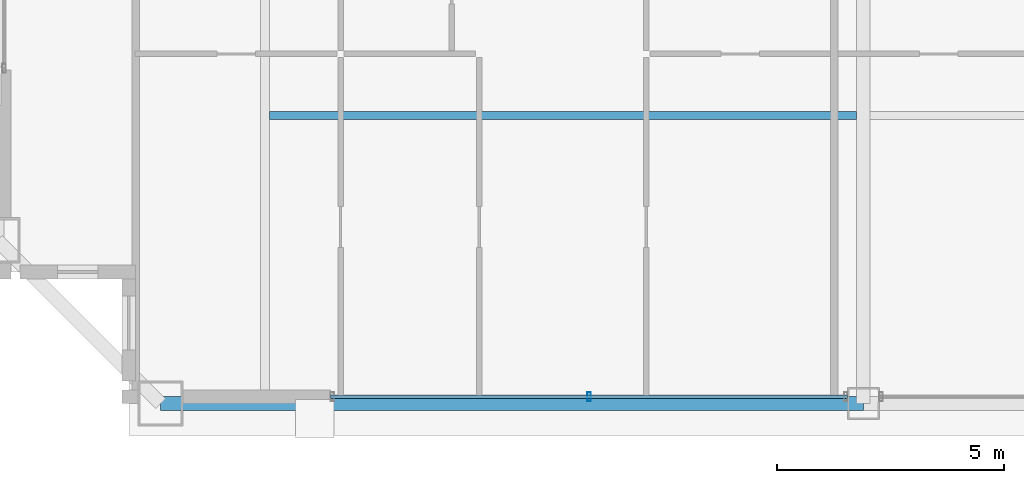
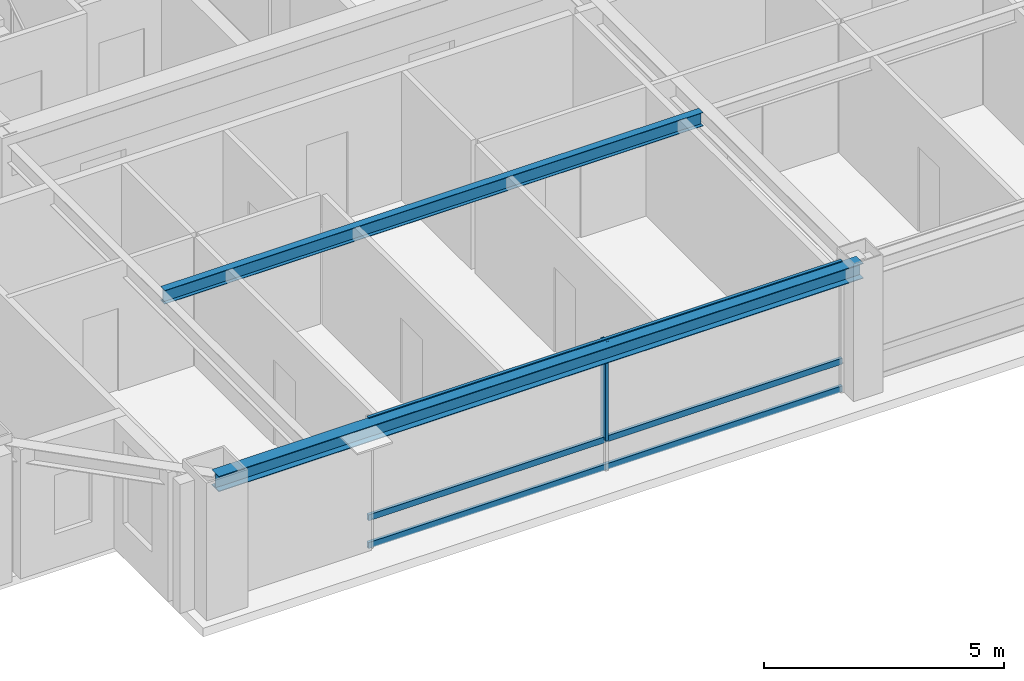
# One storey, part 5 of 35: 4 members, 2 beams, 1 element without a shape of its own.
"""IFC4 building model written with IfcOpenShell, lengths in metres."""

import ifcopenshell
import ifcopenshell.guid

model = None  # the IFC model being written
_history = None  # IfcOwnerHistory: only IFC2X3 demands one
_inside = {}  # id of a spatial element -> (the spatial element, [elements in it])
_under = {}  # id of a project, library or spatial element -> (it, [spatial elements below it])
_declared = {}  # id of a project -> (the project, [libraries it declares])
_typed = {}  # id of a type object -> (the type object, [elements of that type])
_made_of = {}  # id of a material, layer set ... -> (it, [elements and type objects made of it])


def new_model(schema):
    """Start an empty IFC model of exactly this schema.

    Asked for "IFC4X3", IfcOpenShell would pick the latest addendum, in which some entities
    have other attributes; the version numbers below select the first issue.
    IFC2X3 requires an IfcOwnerHistory on every rooted entity: one is made here for all.
    """
    global model, _history
    if schema == "IFC4X3":
        model = ifcopenshell.file(schema_version=(4, 3, 0, 0))
    else:
        model = ifcopenshell.file(schema=schema)
    _inside.clear()
    _under.clear()
    _declared.clear()
    _typed.clear()
    _made_of.clear()
    _history = None
    if model.schema == "IFC2X3":
        org = make("IfcOrganization", Name="unknown")
        user = make(
            "IfcPersonAndOrganization",
            ThePerson=make("IfcPerson", FamilyName="unknown"),
            TheOrganization=org,
        )
        app = make(
            "IfcApplication",
            ApplicationDeveloper=org,
            Version="unknown",
            ApplicationFullName="unknown",
            ApplicationIdentifier="unknown",
        )
        _history = make(
            "IfcOwnerHistory",
            OwningUser=user,
            OwningApplication=app,
            ChangeAction="ADDED",
            CreationDate=0,
        )
    return model


def make(cls, **values):
    """One entity of the class cls with the attributes given. An attribute that is None is left unset."""
    return model.create_entity(
        cls, **{name: value for name, value in values.items() if value is not None}
    )


def rooted(cls, **values):
    """An entity with a GlobalId (a new one), such as an element, a storey or a relation."""
    return make(cls, GlobalId=ifcopenshell.guid.new(), OwnerHistory=_history, **values)


def si_unit(unit_type, name, prefix=None):
    """IfcSIUnit, for example si_unit("LENGTHUNIT", "METRE", prefix="MILLI")."""
    return make("IfcSIUnit", UnitType=unit_type, Prefix=prefix, Name=name)


def assignment(units):
    """IfcUnitAssignment: the units of a project."""
    return None if units is None else make("IfcUnitAssignment", Units=units)


def point(xyz):
    """IfcCartesianPoint."""
    return None if xyz is None else make("IfcCartesianPoint", Coordinates=xyz)


def direction(xyz):
    """IfcDirection."""
    return None if xyz is None else make("IfcDirection", DirectionRatios=xyz)


def frame(location, z_axis=None, x_axis=None):
    """IfcAxis2Placement3D, a coordinate frame: its origin and axes. An axis left out is left unset."""
    return make(
        "IfcAxis2Placement3D",
        Location=point(location),
        Axis=direction(z_axis),
        RefDirection=direction(x_axis),
    )


def frame_2d(location, x_axis=None):
    """IfcAxis2Placement2D, a coordinate frame in the plane: its origin and x axis."""
    return make(
        "IfcAxis2Placement2D", Location=point(location), RefDirection=direction(x_axis)
    )


def origin():
    """The frame at (0, 0, 0) with its axes left unset."""
    return frame((0.0, 0.0, 0.0))


def origin_2d():
    """The frame at (0, 0) in the plane with its x axis left unset."""
    return frame_2d((0.0, 0.0))


def place(relative_to, where):
    """IfcLocalPlacement: puts the frame where relative to a parent placement (None: the world)."""
    return make(
        "IfcLocalPlacement", PlacementRelTo=relative_to, RelativePlacement=where
    )


def context(
    kind, dimensions, precision=None, world=None, true_north=None, identifier=None
):
    """IfcGeometricRepresentationContext, for example the 3D "Model" context."""
    return make(
        "IfcGeometricRepresentationContext",
        ContextIdentifier=identifier,
        ContextType=kind,
        CoordinateSpaceDimension=dimensions,
        Precision=precision,
        WorldCoordinateSystem=world,
        TrueNorth=true_north,
    )


def subcontext(parent, identifier, kind, view, scale=None):
    """IfcGeometricRepresentationSubContext, for example "Body" below "Model"."""
    return make(
        "IfcGeometricRepresentationSubContext",
        ContextIdentifier=identifier,
        ContextType=kind,
        ParentContext=parent,
        TargetScale=scale,
        TargetView=view,
    )


def project(units=None, contexts=None):
    """IfcProject with its units and contexts."""
    return rooted(
        "IfcProject",
        Name="project",
        RepresentationContexts=contexts,
        UnitsInContext=assignment(units),
    )


def spatial(cls, under=None, at=None, **own):
    """A site, building, storey or space (cls), placed at a placement, below another one or the project."""
    s = rooted(cls, ObjectPlacement=at, **own)
    if under is not None:
        _under.setdefault(under.id(), (under, []))[1].append(s)
    return s


def profile(cls, at=None, kind="AREA", **sizes):
    """A parametric profile (cls). Its sizes go by their IFC names, for example OverallWidth=200.0."""
    return make(cls, ProfileType=kind, Position=at, **sizes)


def hollow_rectangle(**sizes):
    """IfcRectangleHollowProfileDef."""
    return profile("IfcRectangleHollowProfileDef", **sizes)


def i_section(**sizes):
    """IfcIShapeProfileDef."""
    return profile("IfcIShapeProfileDef", **sizes)


def extrude(swept, where, along, depth):
    """IfcExtrudedAreaSolid: the profile swept, set in the frame where, extruded along a direction by depth."""
    return make(
        "IfcExtrudedAreaSolid",
        SweptArea=swept,
        Position=where,
        ExtrudedDirection=direction(along),
        Depth=depth,
    )


def shape(context_of_items, identifier, shape_type, items):
    """IfcShapeRepresentation: the items that make up one representation, for example the "Body"."""
    return make(
        "IfcShapeRepresentation",
        ContextOfItems=context_of_items,
        RepresentationIdentifier=identifier,
        RepresentationType=shape_type,
        Items=items,
    )


def source(mapping_origin, context_of_items, identifier, shape_type, items):
    """IfcRepresentationMap: a shape defined once, which mapped items show again and again."""
    return make(
        "IfcRepresentationMap",
        MappingOrigin=mapping_origin,
        MappedRepresentation=shape(context_of_items, identifier, shape_type, items),
    )


def transform(
    local_origin,
    x_axis=None,
    y_axis=None,
    z_axis=None,
    scale=None,
    scale2=None,
    scale3=None,
    uniform=True,
):
    """IfcCartesianTransformationOperator3D, or its non-uniform kind. x_axis, y_axis, z_axis: its Axis1, 2, 3."""
    if uniform:
        return make(
            "IfcCartesianTransformationOperator3D",
            Axis1=direction(x_axis),
            Axis2=direction(y_axis),
            LocalOrigin=point(local_origin),
            Scale=scale,
            Axis3=direction(z_axis),
        )
    return make(
        "IfcCartesianTransformationOperator3DnonUniform",
        Axis1=direction(x_axis),
        Axis2=direction(y_axis),
        LocalOrigin=point(local_origin),
        Scale=scale,
        Axis3=direction(z_axis),
        Scale2=scale2,
        Scale3=scale3,
    )


def mapped(mapping_source, mapping_target):
    """IfcMappedItem: shows the shape of a source again, moved by a transform."""
    return make(
        "IfcMappedItem", MappingSource=mapping_source, MappingTarget=mapping_target
    )


def material(Name=None, Category=None):
    """IfcMaterial."""
    return make("IfcMaterial", Name=Name, Category=Category)


def layer(
    of_material, thickness, ventilated=None, Name=None, Category=None, Priority=None
):
    """IfcMaterialLayer: one layer of a wall or slab, of a material (None: an air gap)."""
    return make(
        "IfcMaterialLayer",
        Material=of_material,
        LayerThickness=thickness,
        IsVentilated=ventilated,
        Name=Name,
        Category=Category,
        Priority=Priority,
    )


def layer_set(layers, Name=None):
    """IfcMaterialLayerSet."""
    return make("IfcMaterialLayerSet", MaterialLayers=layers, LayerSetName=Name)


def material_profile(
    of_material, cross_section, Name=None, Category=None, Priority=None
):
    """IfcMaterialProfile: a cross section and its material."""
    return make(
        "IfcMaterialProfile",
        Name=Name,
        Material=of_material,
        Profile=cross_section,
        Priority=Priority,
        Category=Category,
    )


def profile_set(profiles, Name=None, composite=None):
    """IfcMaterialProfileSet."""
    return make(
        "IfcMaterialProfileSet",
        Name=Name,
        MaterialProfiles=profiles,
        CompositeProfile=composite,
    )


def made_of(thing, what):
    """Note that an element or type object is made of a material, layer set ...; save() writes the relation."""
    if what is not None:
        _made_of.setdefault(what.id(), (what, []))[1].append(thing)
    return thing


def type_object(cls, material=None, **own):
    """A type object (cls), such as IfcWallType, which elements share."""
    return made_of(rooted(cls, **own), material)


def element(
    cls,
    number,
    at=None,
    inside=None,
    cuts=None,
    type_object=None,
    material=None,
    context=None,
    identifier="Body",
    shape_type=None,
    held_by="IfcProductDefinitionShape",
    body=None,
    shapes=None,
    **own,
):
    """One element of the class cls, such as IfcWall. Its Tag is "e" and its number.

    at: its placement. inside: the storey or other place that contains it. cuts: it is an
    opening in that element (IfcRelVoidsElement). A single representation is given by context,
    identifier, shape_type and body (its items); several are given by shapes. held_by: the class
    of the entity that holds the representations. save() writes the other relations.
    """
    e = rooted(cls, Tag="e%d" % number, ObjectPlacement=at, **own)
    if body is not None:
        shapes = [shape(context, identifier, shape_type, body)]
    if shapes is not None:
        e.Representation = make(held_by, Representations=shapes)
    if inside is not None:
        _inside.setdefault(inside.id(), (inside, []))[1].append(e)
    if cuts is not None:
        rooted(
            "IfcRelVoidsElement", RelatingBuildingElement=cuts, RelatedOpeningElement=e
        )
    if type_object is not None:
        _typed.setdefault(type_object.id(), (type_object, []))[1].append(e)
    return made_of(e, material)


def aggregate(whole, parts):
    """IfcRelAggregates: a whole, such as a stair, and the parts it consists of."""
    return rooted("IfcRelAggregates", RelatingObject=whole, RelatedObjects=parts)


def save(model, path):
    """Write the relations noted so far, then the file.

    IfcRelAggregates (storeys below a building ...), IfcRelContainedInSpatialStructure (elements
    in a storey), IfcRelDefinesByType, IfcRelAssociatesMaterial and IfcRelDeclares: one each for
    every whole, place, type object, material and project.
    """
    for whole, parts in _under.values():
        aggregate(whole, parts)
    for where, things in _inside.values():
        rooted(
            "IfcRelContainedInSpatialStructure",
            RelatedElements=things,
            RelatingStructure=where,
        )
    for kind, things in _typed.values():
        rooted("IfcRelDefinesByType", RelatedObjects=things, RelatingType=kind)
    for what, things in _made_of.values():
        rooted("IfcRelAssociatesMaterial", RelatedObjects=things, RelatingMaterial=what)
    for by, libraries in _declared.values():
        rooted("IfcRelDeclares", RelatingContext=by, RelatedDefinitions=libraries)
    model.write(path)


model = new_model("IFC4")

# Units and contexts
model_context = context("Model", 3, precision=1e-05, world=origin(), true_north=direction((0.0, 1.0)))
body_context = subcontext(model_context, "Body", "Model", "MODEL_VIEW")
ifc_project = project(units=[si_unit("LENGTHUNIT", "METRE"), si_unit("AREAUNIT", "SQUARE_METRE"), si_unit("VOLUMEUNIT", "CUBIC_METRE"), si_unit("PLANEANGLEUNIT", "RADIAN"), si_unit("MASSUNIT", "GRAM", prefix="KILO"), si_unit("THERMODYNAMICTEMPERATUREUNIT", "KELVIN"), si_unit("POWERUNIT", "WATT")], contexts=[model_context])

# Site, building, storey
site_placement = place(None, origin())
site = spatial("IfcSite", under=ifc_project, at=site_placement, CompositionType="ELEMENT")
building_placement = place(site_placement, origin())
building = spatial("IfcBuilding", under=site, at=building_placement, Name="Yuzanri Waterfront Tower", CompositionType="ELEMENT")
storey_placement = place(building_placement, frame((0.0, 0.0, 296.10009765625)))
storey = spatial("IfcBuildingStorey", under=building, at=storey_placement, Name="L79", CompositionType="ELEMENT", Elevation=296.10009765625)

# Beams
ifc_material_1 = material(Name="Steel Q355B", Category="steel")
ifc_material_profile_1 = material_profile(ifc_material_1, i_section(OverallWidth=0.175048828125, OverallDepth=0.35009765625, WebThickness=0.007080078125, FlangeThickness=0.010986328125, at=origin_2d()), Name="HN 350x175x7x11")
ifc_profile_set_1 = profile_set([ifc_material_profile_1], Name="Steel Q355B")
beam_type_1 = type_object("IfcBeamType", Name="Floor Joist Q355B HN 350x175", PredefinedType="JOIST", material=ifc_profile_set_1)
shared_shape_1 = source(origin(), body_context, "Body", "SweptSolid", [
    extrude(i_section(OverallWidth=0.175048828125, OverallDepth=0.35009765625, WebThickness=0.007080078125, FlangeThickness=0.010986328125, at=origin_2d()), origin(), (0.0, 0.0, 1.0), 12.9501953125),
])
beam_1_placement = place(storey_placement, frame((23.89990234375, 13.050048828125, 3.10498046875), z_axis=(1.0, 0.0, 0.0), x_axis=(0.0, 1.0, 0.0)))
element("IfcBeam", 1, at=beam_1_placement, inside=storey, type_object=beam_type_1, Name="L79 South Bay Joist W", PredefinedType="JOIST", context=body_context, shape_type="MappedRepresentation", body=[
    mapped(shared_shape_1, transform((0.0, 0.0, 0.0), scale=1.0)),
])
ifc_material_2 = material(Name="Steel Q355B", Category="steel")
ifc_material_profile_2 = material_profile(ifc_material_2, i_section(OverallWidth=0.300048828125, OverallDepth=0.389892578125, WebThickness=0.010009765625, FlangeThickness=0.01611328125, at=origin_2d()), Name="HM 390x300x10x16")
ifc_profile_set_2 = profile_set([ifc_material_profile_2], Name="Steel Q355B")
beam_type_2 = type_object("IfcBeamType", Name="Perimeter Spandrel Q355B HM 390x300", PredefinedType="SPANDREL", material=ifc_profile_set_2)
shared_shape_2 = source(origin(), body_context, "Body", "SweptSolid", [
    extrude(i_section(OverallWidth=0.300048828125, OverallDepth=0.389892578125, WebThickness=0.010009765625, FlangeThickness=0.01611328125, at=origin_2d()), origin(), (0.0, 0.0, 1.0), 15.5),
])
beam_2_placement = place(storey_placement, frame((21.5, 6.699951171875, 3.0849609375), z_axis=(1.0, 0.0, 0.0), x_axis=(0.0, 1.0, 0.0)))
element("IfcBeam", 2, at=beam_2_placement, inside=storey, type_object=beam_type_2, Name="L79 Perimeter Spandrel S1-S2", PredefinedType="SPANDREL", context=body_context, shape_type="MappedRepresentation", body=[
    mapped(shared_shape_2, transform((0.0, 0.0, 0.0), scale=1.0)),
])

# Curtain wall, members
ifc_material_3 = material(Name="Anodized Architectural Bronze", Category="metal")
ifc_layer = layer(ifc_material_3, 0.159912109375)
ifc_layer_set = layer_set([ifc_layer], Name="Anodized Architectural Bronze")
curtain_wall_type = type_object("IfcCurtainWallType", Name="Anodized Bronze High-Rise Penthouse High-Wind Unitized Curtain Wall 6900", PredefinedType="NOTDEFINED", material=ifc_layer_set)
curtain_wall_placement = place(storey_placement, origin())
curtain_wall = element("IfcCurtainWall", 3, at=curtain_wall_placement, inside=storey, type_object=curtain_wall_type, Name="L79 Curtain Wall CW-L79-SL", PredefinedType="NOTDEFINED")
ifc_material_4 = material(Name="Anodized Architectural Bronze", Category="metal")
ifc_material_profile_3 = material_profile(ifc_material_4, hollow_rectangle(XDim=0.074951171875, YDim=0.199951171875, WallThickness=0.00390625, at=origin_2d()), Name="CWM 75x200")
ifc_profile_set_3 = profile_set([ifc_material_profile_3], Name="Anodized Architectural Bronze")
member_type_1 = type_object("IfcMemberType", Name="Anodized Bronze Primary Curtain-Wall Mullion 75x200", PredefinedType="MULLION", material=ifc_profile_set_3)
shared_shape_3 = source(origin(), body_context, "Body", "SweptSolid", [
    extrude(hollow_rectangle(XDim=0.074951171875, YDim=0.199951171875, WallThickness=0.00390625, at=origin_2d()), origin(), (0.0, 0.0, 1.0), 2.52392578125),
])
member_1_placement = place(storey_placement, frame((30.949951171875, 6.85009765625, 0.755859375), z_axis=(0.0, 0.0, 1.0), x_axis=(1.0, 0.0, 0.0)))
member_1 = element("IfcMember", 4, at=member_1_placement, type_object=member_type_1, Name="CW-L79-SL Upper Mullion 01", PredefinedType="MULLION", context=body_context, shape_type="MappedRepresentation", body=[
    mapped(shared_shape_3, transform((0.0, 0.0, 0.0), scale=1.0)),
])
ifc_material_5 = material(Name="Anodized Architectural Bronze", Category="metal")
ifc_material_profile_4 = material_profile(ifc_material_5, hollow_rectangle(XDim=0.074951171875, YDim=0.14990234375, WallThickness=0.00390625, at=origin_2d()), Name="CWT 75x150")
ifc_profile_set_4 = profile_set([ifc_material_profile_4], Name="Anodized Architectural Bronze")
member_type_2 = type_object("IfcMemberType", Name="Anodized Bronze Primary Curtain-Wall Transom 75x150", PredefinedType="USERDEFINED", material=ifc_profile_set_4)
shared_shape_4 = source(origin(), body_context, "Body", "SweptSolid", [
    extrude(hollow_rectangle(XDim=0.074951171875, YDim=0.14990234375, WallThickness=0.00390625, at=origin_2d()), origin(), (0.0, 0.0, 1.0), 11.39990234375),
])
member_2_placement = place(storey_placement, frame((25.25, 6.85009765625, 0.0498046875), z_axis=(1.0, 0.0, 0.0), x_axis=(0.0, 1.0, 0.0)))
member_2 = element("IfcMember", 5, at=member_2_placement, type_object=member_type_2, Name="CW-L79-SL Transom 1", ObjectType="TRANSOM", PredefinedType="USERDEFINED", context=body_context, shape_type="MappedRepresentation", body=[
    mapped(shared_shape_4, transform((0.0, 0.0, 0.0), scale=1.0)),
])
member_3_placement = place(storey_placement, frame((25.25, 6.85009765625, 0.75390625), z_axis=(1.0, 0.0, 0.0), x_axis=(0.0, 1.0, 0.0)))
member_3 = element("IfcMember", 6, at=member_3_placement, type_object=member_type_2, Name="CW-L79-SL Transom 2", ObjectType="TRANSOM", PredefinedType="USERDEFINED", context=body_context, shape_type="MappedRepresentation", body=[
    mapped(shared_shape_4, transform((0.0, 0.0, 0.0), scale=1.0)),
])
member_4_placement = place(storey_placement, frame((25.25, 6.85009765625, 3.22998046875), z_axis=(1.0, 0.0, 0.0), x_axis=(0.0, 1.0, 0.0)))
member_4 = element("IfcMember", 7, at=member_4_placement, type_object=member_type_2, Name="CW-L79-SL Transom 3", ObjectType="TRANSOM", PredefinedType="USERDEFINED", context=body_context, shape_type="MappedRepresentation", body=[
    mapped(shared_shape_4, transform((0.0, 0.0, 0.0), scale=1.0)),
])
aggregate(curtain_wall, [member_1, member_2, member_3, member_4])

save(model, "model.ifc")
